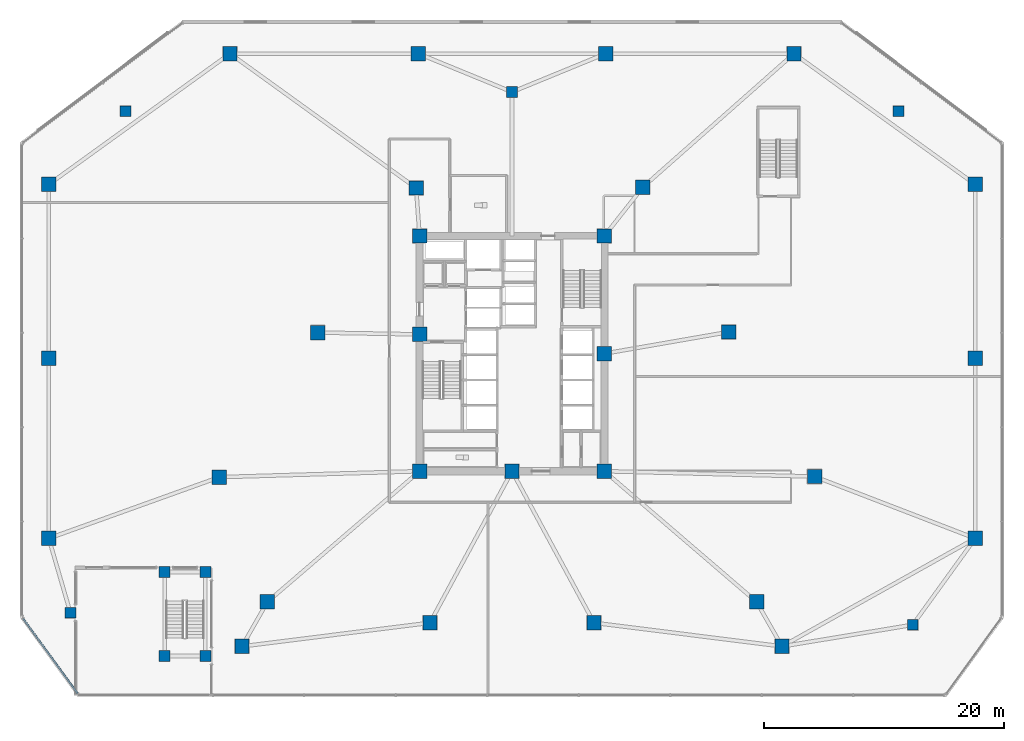
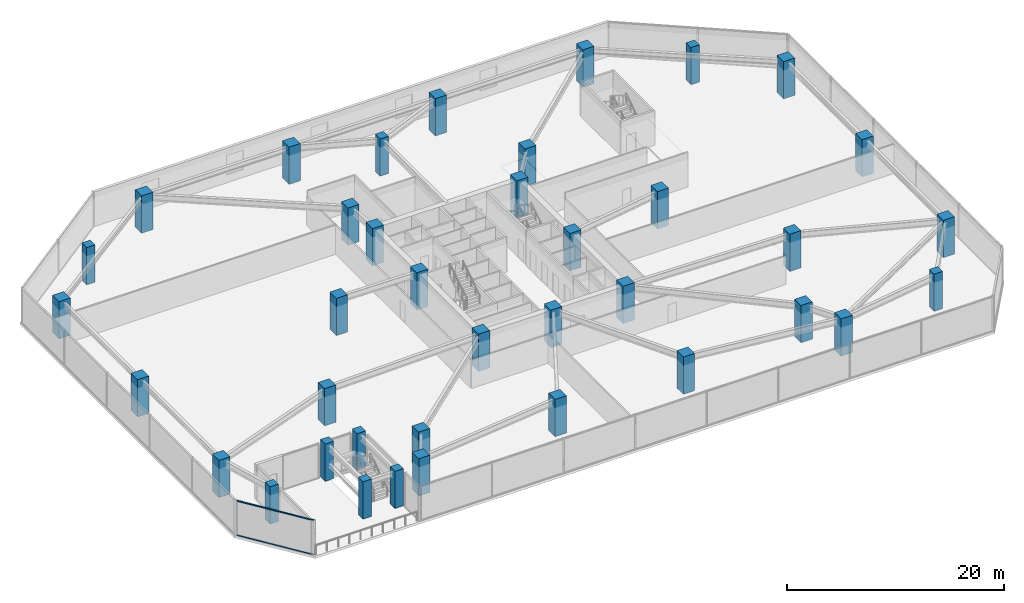
# One storey, part 1 of 21: 38 columns, 2 members, 1 element without a shape of its own.
"""IFC4 building model written with IfcOpenShell, lengths in metres."""

from ifc_helpers import new_model, si_unit, direction, frame, origin, origin_2d, place, context, subcontext, project, spatial, rectangle, extrude, material, material_profile, profile_set, type_object, element, aggregate, save


model = new_model("IFC4")

# Units and contexts
model_context = context("Model", 3, precision=1e-05, world=origin(), true_north=direction((0.0, 1.0)))
body_context = subcontext(model_context, "Body", "Model", "MODEL_VIEW")
ifc_project = project(units=[si_unit("LENGTHUNIT", "METRE"), si_unit("AREAUNIT", "SQUARE_METRE"), si_unit("VOLUMEUNIT", "CUBIC_METRE"), si_unit("PLANEANGLEUNIT", "RADIAN"), si_unit("MASSUNIT", "GRAM", prefix="KILO")], contexts=[model_context])

# Site, building, storey
site_placement = place(None, origin())
site = spatial("IfcSite", under=ifc_project, at=site_placement, CompositionType="ELEMENT")
building_placement = place(site_placement, origin())
building = spatial("IfcBuilding", under=site, at=building_placement, Name="Savorim Split Tower", CompositionType="ELEMENT")
storey_placement = place(building_placement, frame((0.0, 0.0, 5.0)))
storey = spatial("IfcBuildingStorey", under=building, at=storey_placement, Name="L01", CompositionType="ELEMENT", Elevation=5.0)

# Columns
ifc_material_1 = material(Name="Concrete C60/75", Category="concrete")
ifc_material_profile_1 = material_profile(ifc_material_1, rectangle(XDim=1.199951171875, YDim=1.199951171875, at=origin_2d()), Name="RC 1200x1200")
ifc_profile_set_1 = profile_set([ifc_material_profile_1], Name="Concrete C60/75")
column_type_1 = type_object("IfcColumnType", Name="COL-RC-1200", PredefinedType="COLUMN", material=ifc_profile_set_1)
for number, where, z_axis, x_axis, name in (
    (1, (-7.699951171875, -9.39990234375, 0.0), (0.0, 0.0, 1.0), (1.0, 0.0, 0.0), "L01 Core Structural Column TC-C1"),
    (2, (7.699951171875, -9.39990234375, 0.0), (0.0, 0.0, 1.0), (1.0, 0.0, 0.0), "L01 Core Structural Column TC-C2"),
    (3, (7.699951171875, 10.199951171875, 0.0), (0.0, 0.0, 1.0), (1.0, 0.0, 0.0), "L01 Core Structural Column TC-C3"),
    (4, (-7.699951171875, 10.199951171875, 0.0), (0.0, 0.0, 1.0), (1.0, 0.0, 0.0), "L01 Core Structural Column TC-C4"),
    (5, (0.0, -9.39990234375, 0.0), (0.0, 0.0, 1.0), (1.0, 0.0, 0.0), "L01 Core Structural Column TC-C5"),
    (6, (7.699951171875, 0.39990234375, 0.0), (0.0, 0.0, 1.0), (1.0, 0.0, 0.0), "L01 Core Structural Column TC-C6"),
    (7, (-7.699951171875, 2.0, 0.0), (0.0, 0.0, 1.0), (1.0, 0.0, 0.0), "L01 Core Structural Column TC-C7"),
    (8, (38.60009765625, -15.0, 0.0), (0.0, 0.0, 1.0), (1.0, 0.0, 0.0), "L01 Podium Perimeter Column DC-05"),
    (9, (38.60009765625, 0.0, 0.0), (0.0, 0.0, 1.0), (1.0, 0.0, 0.0), "L01 Podium Perimeter Column DC-06"),
    (10, (38.60009765625, 14.5, 0.0), (0.0, 0.0, 1.0), (1.0, 0.0, 0.0), "L01 Podium Perimeter Column DC-07"),
    (11, (23.5, 25.39990234375, 0.0), (0.0, 0.0, 1.0), (1.0, 0.0, 0.0), "L01 Podium Perimeter Column DC-08"),
    (12, (7.800048828125, 25.39990234375, 0.0), (0.0, 0.0, 1.0), (1.0, 0.0, 0.0), "L01 Podium Perimeter Column DC-09"),
    (13, (-7.800048828125, 25.39990234375, 0.0), (0.0, 0.0, 1.0), (1.0, 0.0, 0.0), "L01 Podium Perimeter Column DC-10"),
    (14, (-23.5, 25.39990234375, 0.0), (0.0, 0.0, 1.0), (1.0, 0.0, 0.0), "L01 Podium Perimeter Column DC-11"),
    (15, (-38.60009765625, 14.5, 0.0), (0.0, 0.0, 1.0), (1.0, 0.0, 0.0), "L01 Podium Perimeter Column DC-12"),
    (16, (-38.60009765625, 0.0, 0.0), (0.0, 0.0, 1.0), (1.0, 0.0, 0.0), "L01 Podium Perimeter Column DC-13"),
    (17, (-38.60009765625, -15.0, 0.0), (0.0, 0.0, 1.0), (1.0, 0.0, 0.0), "L01 Podium Perimeter Column DC-14"),
    (18, (-22.5, -24.0, 0.0), (0.0, 0.0, 1.0), (1.0, 0.0, 0.0), "L01 Podium Perimeter Column DC-01"),
    (19, (22.5, -24.0, 0.0), (0.0, 0.0, 1.0), (1.0, 0.0, 0.0), "L01 Podium Perimeter Column DC-04"),
    (20, (-20.384033203125, -20.291748046875, 0.0), (0.0, 0.0, 1.0), (1.0, 0.0, 0.0), "L01 Tower Transfer Pier Column PC-S1"),
    (21, (-6.831787109375, -22.03173828125, 0.0), (0.0, 0.0, 1.0), (1.0, 0.0, 0.0), "L01 Tower Transfer Pier Column PC-S2"),
    (22, (6.831787109375, -22.03173828125, 0.0), (0.0, 0.0, 1.0), (1.0, 0.0, 0.0), "L01 Tower Transfer Pier Column PC-S3"),
    (23, (20.384033203125, -20.291748046875, 0.0), (0.0, 0.0, 1.0), (1.0, 0.0, 0.0), "L01 Tower Transfer Pier Column PC-S4"),
    (24, (25.21337890625, -9.845458984375, 0.0), (0.0, 0.0, 1.0), (1.0, 0.0, 0.0), "L01 Tower Transfer Pier Column PC-E1"),
    (25, (18.049560546875, 2.202392578125, 0.0), (0.0, 0.0, 1.0), (1.0, 0.0, 0.0), "L01 Tower Transfer Pier Column PC-E2"),
    (26, (10.885498046875, 14.25048828125, 0.0), (0.0, 0.0, 1.0), (1.0, 0.0, 0.0), "L01 Tower Transfer Pier Column PC-E3"),
    (27, (-7.992431640625, 14.20166015625, 0.0), (0.0, 0.0, 1.0), (1.0, 0.0, 0.0), "L01 Tower Transfer Pier Column PC-W1"),
    (28, (-16.1884765625, 2.15380859375, 0.0), (0.0, 0.0, 1.0), (1.0, 0.0, 0.0), "L01 Tower Transfer Pier Column PC-W2"),
    (29, (-24.384521484375, -9.894287109375, 0.0), (0.0, 0.0, 1.0), (1.0, 0.0, 0.0), "L01 Tower Transfer Pier Column PC-W3"),
):
    element("IfcColumn", number, at=place(storey_placement, frame(where, z_axis=z_axis, x_axis=x_axis)), inside=storey, type_object=column_type_1, Name=name, PredefinedType="COLUMN", context=body_context, shape_type="SweptSolid", body=[
        extrude(rectangle(XDim=1.199951171875, YDim=1.199951171875, at=origin_2d()), origin(), (0.0, 0.0, 1.0), 4.199951171875),
    ])
ifc_material_profile_2 = material_profile(ifc_material_1, rectangle(XDim=0.89990234375, YDim=0.89990234375, at=origin_2d()), Name="RC 900x900")
ifc_profile_set_2 = profile_set([ifc_material_profile_2], Name="Concrete C60/75")
column_type_2 = type_object("IfcColumnType", Name="COL-RC-900", PredefinedType="COLUMN", material=ifc_profile_set_2)
for number, where, z_axis, x_axis, name in (
    (30, (33.39990234375, -22.199951171875, 0.0), (0.0, 0.0, 1.0), (1.0, 0.0, 0.0), "L01 Podium Support Column GC-01"),
    (31, (32.199951171875, 20.60009765625, 0.0), (0.0, 0.0, 1.0), (1.0, 0.0, 0.0), "L01 Podium Support Column GC-02"),
    (32, (-32.199951171875, 20.60009765625, 0.0), (0.0, 0.0, 1.0), (1.0, 0.0, 0.0), "L01 Podium Support Column GC-03"),
    (33, (-36.800048828125, -21.199951171875, 0.0), (0.0, 0.0, 1.0), (1.0, 0.0, 0.0), "L01 Podium Support Column GC-04"),
    (34, (0.0, 22.199951171875, 0.0), (0.0, 0.0, 1.0), (1.0, 0.0, 0.0), "L01 Podium Support Column GC-05"),
    (35, (-28.949951171875, -24.800048828125, 0.0), (0.0, 0.0, 1.0), (1.0, 0.0, 0.0), "L01 Podium Support Column GSC-1"),
    (36, (-25.550048828125, -24.800048828125, 0.0), (0.0, 0.0, 1.0), (1.0, 0.0, 0.0), "L01 Podium Support Column GSC-2"),
    (37, (-28.949951171875, -17.800048828125, 0.0), (0.0, 0.0, 1.0), (1.0, 0.0, 0.0), "L01 Podium Support Column GSC-3"),
    (38, (-25.550048828125, -17.800048828125, 0.0), (0.0, 0.0, 1.0), (1.0, 0.0, 0.0), "L01 Podium Support Column GSC-4"),
):
    element("IfcColumn", number, at=place(storey_placement, frame(where, z_axis=z_axis, x_axis=x_axis)), inside=storey, type_object=column_type_2, Name=name, PredefinedType="COLUMN", context=body_context, shape_type="SweptSolid", body=[
        extrude(rectangle(XDim=0.89990234375, YDim=0.89990234375, at=origin_2d()), origin(), (0.0, 0.0, 1.0), 4.199951171875),
    ])

# Curtain wall, members
ifc_material_2 = material(Name="Dark Ceramic-Fritted Insulated Glass", Category="glass")
curtain_wall_type = type_object("IfcCurtainWallType", Name="CW-POD-GLZ", PredefinedType="NOTDEFINED", material=ifc_material_2)
curtain_wall_placement = place(storey_placement, origin())
curtain_wall = element("IfcCurtainWall", 39, at=curtain_wall_placement, inside=storey, type_object=curtain_wall_type, Name="L01 Curtain Wall CW-L01-E11", PredefinedType="NOTDEFINED")
ifc_material_3 = material(Name="Charcoal Anodised Aluminium", Category="aluminium")
ifc_material_profile_3 = material_profile(ifc_material_3, rectangle(XDim=0.159912109375, YDim=0.06005859375, at=origin_2d()), Name="ALU-T 160x60")
ifc_profile_set_3 = profile_set([ifc_material_profile_3], Name="Charcoal Anodised Aluminium")
member_type = type_object("IfcMemberType", Name="CWT-160x60", PredefinedType="USERDEFINED", material=ifc_profile_set_3)
member_1_placement = place(storey_placement, frame((-40.7470703125, -21.67578125, 0.030029296875), z_axis=(0.588177323599, -0.808731992692, 0.0), x_axis=(0.808731992692, 0.588177323599, 0.0)))
member_1 = element("IfcMember", 40, at=member_1_placement, type_object=member_type, Name="CW-01 transom 1.1", ObjectType="TRANSOM", PredefinedType="USERDEFINED", context=body_context, shape_type="SweptSolid", body=[
    extrude(rectangle(XDim=0.159912109375, YDim=0.06005859375, at=origin_2d()), origin(), (0.0, 0.0, 1.0), 7.74072265625),
])
member_2_placement = place(storey_placement, frame((-40.7470703125, -21.67578125, 3.889892578125), z_axis=(0.588177323599, -0.808731992692, 0.0), x_axis=(0.808731992692, 0.588177323599, 0.0)))
member_2 = element("IfcMember", 41, at=member_2_placement, type_object=member_type, Name="CW-01 transom 1.2", ObjectType="TRANSOM", PredefinedType="USERDEFINED", context=body_context, shape_type="SweptSolid", body=[
    extrude(rectangle(XDim=0.159912109375, YDim=0.06005859375, at=origin_2d()), origin(), (0.0, 0.0, 1.0), 7.74072265625),
])
aggregate(curtain_wall, [member_1, member_2])

save(model, "model.ifc")
